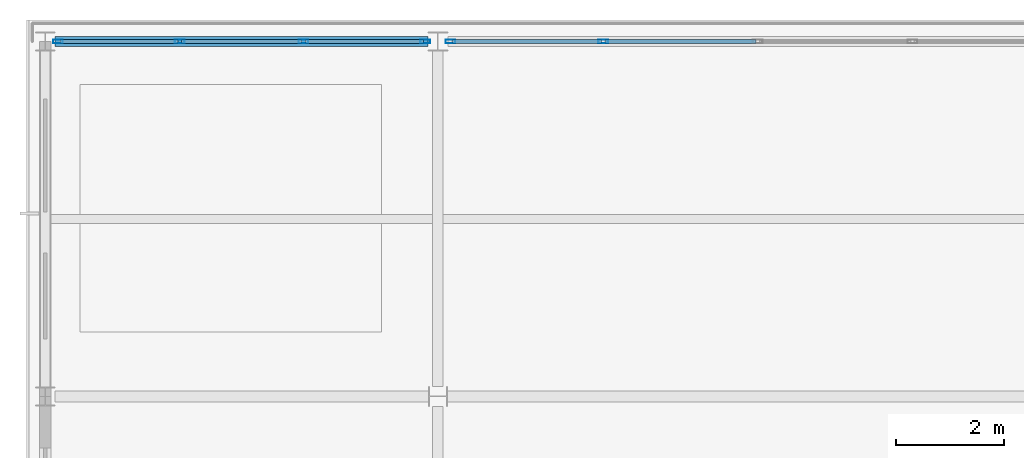
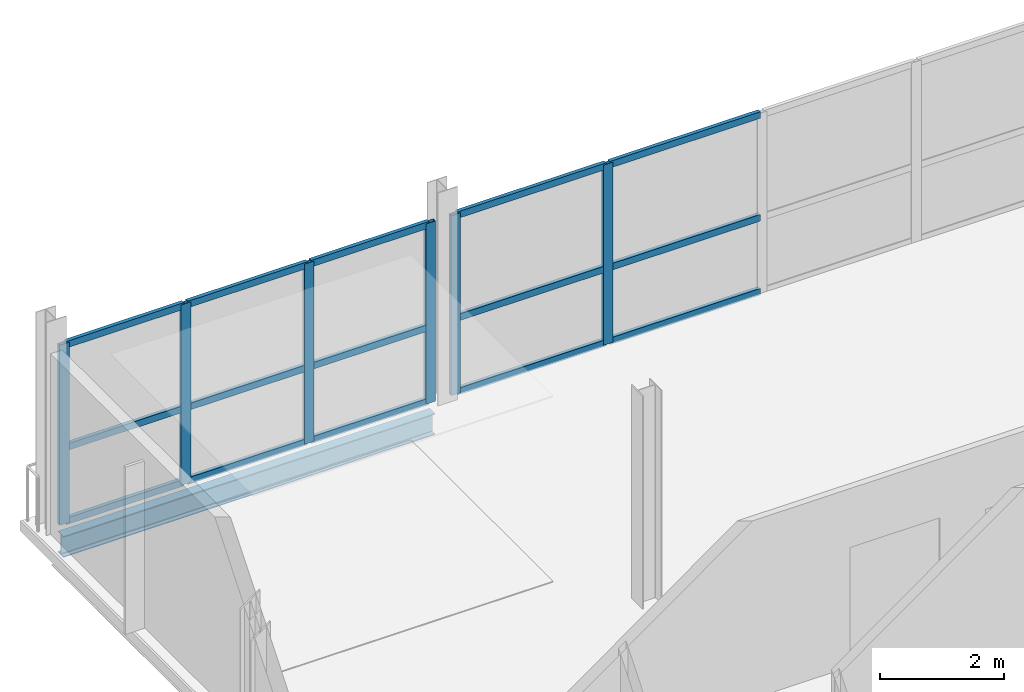
# One storey, part 7 of 17: 21 members, 1 beam, 2 elements without a shape of their own.
"""IFC4 building model written with IfcOpenShell, lengths in metres."""

from ifc_helpers import new_model, si_unit, direction, frame, origin, origin_2d, place, context, subcontext, project, spatial, hollow_rectangle, i_section, extrude, material, layer, layer_set, material_profile, profile_set, type_object, element, aggregate, save


model = new_model("IFC4")

# Units and contexts
model_context = context("Model", 3, precision=1e-05, world=origin(), true_north=direction((0.0, 1.0)))
body_context = subcontext(model_context, "Body", "Model", "MODEL_VIEW")
ifc_project = project(units=[si_unit("LENGTHUNIT", "METRE"), si_unit("AREAUNIT", "SQUARE_METRE"), si_unit("VOLUMEUNIT", "CUBIC_METRE"), si_unit("PLANEANGLEUNIT", "RADIAN"), si_unit("MASSUNIT", "GRAM", prefix="KILO")], contexts=[model_context])

# Site, building, storey
site_placement = place(None, origin())
site = spatial("IfcSite", under=ifc_project, at=site_placement, CompositionType="ELEMENT")
building_placement = place(site_placement, origin())
building = spatial("IfcBuilding", under=site, at=building_placement, Name="Quillay Park Conservatory", CompositionType="ELEMENT")
storey_placement = place(building_placement, frame((0.0, 0.0, 56.10009765625)))
storey = spatial("IfcBuildingStorey", under=building, at=storey_placement, Name="L13", CompositionType="ELEMENT", Elevation=56.10009765625)

# Curtain wall, members
ifc_material_1 = material(Name="Thermally Broken Anodised Aluminium 6063-T6", Category="aluminium")
ifc_layer = layer(ifc_material_1, 0.179931640625)
ifc_layer_set = layer_set([ifc_layer], Name="UNITISED CURTAIN WALL TOWER (Thermally Broken Anodised Aluminium 6063-T6)")
curtain_wall_type = type_object("IfcCurtainWallType", Name="UNITISED CURTAIN WALL TOWER", PredefinedType="USERDEFINED", material=ifc_layer_set)
curtain_wall_1_placement = place(storey_placement, origin())
curtain_wall_1 = element("IfcCurtainWall", 1, at=curtain_wall_1_placement, inside=storey, type_object=curtain_wall_type, Name="L13 Unitised Curtain Wall 128", ObjectType="UNITISED CURTAIN WALL", PredefinedType="USERDEFINED")
ifc_material_2 = material(Name="Thermally Broken Anodised Aluminium 6063-T6", Category="aluminium")
ifc_material_profile_1 = material_profile(ifc_material_2, hollow_rectangle(XDim=0.070068359375, YDim=0.179931640625, WallThickness=0.00390625, at=origin_2d()), Name="AL70x180x4")
ifc_profile_set_1 = profile_set([ifc_material_profile_1], Name="Thermally Broken Anodised Aluminium 6063-T6")
member_type_1 = type_object("IfcMemberType", Name="CURTAIN WALL MULLION 70 X180", PredefinedType="MULLION", material=ifc_profile_set_1)
member_1_placement = place(storey_placement, frame((0.784912109375, 113.39990234375, 0.0), z_axis=(0.0, 0.0, 1.0), x_axis=(0.0, 1.0, 0.0)))
member_1 = element("IfcMember", 2, at=member_1_placement, type_object=member_type_1, Name="CW-T1 mullion 1", PredefinedType="MULLION", context=body_context, shape_type="SweptSolid", body=[
    extrude(hollow_rectangle(XDim=0.070068359375, YDim=0.179931640625, WallThickness=0.00390625, at=origin_2d()), origin(), (0.0, 0.0, 1.0), 3.553955078125),
])
member_2_placement = place(storey_placement, frame((3.050048828125, 113.39990234375, 0.0), z_axis=(0.0, 0.0, 1.0), x_axis=(0.0, 1.0, 0.0)))
member_2 = element("IfcMember", 3, at=member_2_placement, type_object=member_type_1, Name="CW-T1 mullion 2", PredefinedType="MULLION", context=body_context, shape_type="SweptSolid", body=[
    extrude(hollow_rectangle(XDim=0.070068359375, YDim=0.179931640625, WallThickness=0.00390625, at=origin_2d()), origin(), (0.0, 0.0, 1.0), 3.553955078125),
])
member_3_placement = place(storey_placement, frame((5.35009765625, 113.39990234375, 0.0), z_axis=(0.0, 0.0, 1.0), x_axis=(0.0, 1.0, 0.0)))
member_3 = element("IfcMember", 4, at=member_3_placement, type_object=member_type_1, Name="CW-T1 mullion 3", PredefinedType="MULLION", context=body_context, shape_type="SweptSolid", body=[
    extrude(hollow_rectangle(XDim=0.070068359375, YDim=0.179931640625, WallThickness=0.00390625, at=origin_2d()), origin(), (0.0, 0.0, 1.0), 3.553955078125),
])
member_4_placement = place(storey_placement, frame((7.614990234375, 113.39990234375, 0.0), z_axis=(0.0, 0.0, 1.0), x_axis=(0.0, 1.0, 0.0)))
member_4 = element("IfcMember", 5, at=member_4_placement, type_object=member_type_1, Name="CW-T1 mullion 4", PredefinedType="MULLION", context=body_context, shape_type="SweptSolid", body=[
    extrude(hollow_rectangle(XDim=0.070068359375, YDim=0.179931640625, WallThickness=0.00390625, at=origin_2d()), origin(), (0.0, 0.0, 1.0), 3.553955078125),
])

curtain_wall_2_placement = place(storey_placement, origin())
curtain_wall_2 = element("IfcCurtainWall", 6, at=curtain_wall_2_placement, inside=storey, type_object=curtain_wall_type, Name="L13 Unitised Curtain Wall 129", ObjectType="UNITISED CURTAIN WALL", PredefinedType="USERDEFINED")
member_5_placement = place(storey_placement, frame((8.0849609375, 113.39990234375, 0.0), z_axis=(0.0, 0.0, 1.0), x_axis=(0.0, 1.0, 0.0)))
member_5 = element("IfcMember", 7, at=member_5_placement, type_object=member_type_1, Name="CW-T1 mullion 1", PredefinedType="MULLION", context=body_context, shape_type="SweptSolid", body=[
    extrude(hollow_rectangle(XDim=0.070068359375, YDim=0.179931640625, WallThickness=0.00390625, at=origin_2d()), origin(), (0.0, 0.0, 1.0), 3.553955078125),
])
member_6_placement = place(storey_placement, frame((10.925048828125, 113.39990234375, 0.0), z_axis=(0.0, 0.0, 1.0), x_axis=(0.0, 1.0, 0.0)))
member_6 = element("IfcMember", 8, at=member_6_placement, type_object=member_type_1, Name="CW-T1 mullion 2", PredefinedType="MULLION", context=body_context, shape_type="SweptSolid", body=[
    extrude(hollow_rectangle(XDim=0.070068359375, YDim=0.179931640625, WallThickness=0.00390625, at=origin_2d()), origin(), (0.0, 0.0, 1.0), 3.553955078125),
])

# Member
ifc_material_3 = material(Name="Thermally Broken Anodised Aluminium 6063-T6", Category="aluminium")
ifc_material_profile_2 = material_profile(ifc_material_3, hollow_rectangle(XDim=0.070068359375, YDim=0.1298828125, WallThickness=0.003173828125, at=origin_2d()), Name="AL70x130x3.2")
ifc_profile_set_2 = profile_set([ifc_material_profile_2], Name="Thermally Broken Anodised Aluminium 6063-T6")
member_type_2 = type_object("IfcMemberType", Name="CURTAIN WALL TRANSOM 70 X130", PredefinedType="USERDEFINED", material=ifc_profile_set_2)
member_7_placement = place(storey_placement, frame((0.820068359375, 113.39990234375, 0.034912109375), z_axis=(1.0, 0.0, 0.0), x_axis=(0.0, 1.0, 0.0)))
member_7 = element("IfcMember", 9, at=member_7_placement, type_object=member_type_2, Name="CW-T1 transom 1.1", ObjectType="TRANSOM", PredefinedType="USERDEFINED", context=body_context, shape_type="SweptSolid", body=[
    extrude(hollow_rectangle(XDim=0.070068359375, YDim=0.1298828125, WallThickness=0.003173828125, at=origin_2d()), origin(), (0.0, 0.0, 1.0), 2.19482421875),
])

member_8_placement = place(storey_placement, frame((0.820068359375, 113.39990234375, 1.49267578125), z_axis=(1.0, 0.0, 0.0), x_axis=(0.0, 1.0, 0.0)))
member_8 = element("IfcMember", 10, at=member_8_placement, type_object=member_type_2, Name="CW-T1 transom 1.2", ObjectType="TRANSOM", PredefinedType="USERDEFINED", context=body_context, shape_type="SweptSolid", body=[
    extrude(hollow_rectangle(XDim=0.070068359375, YDim=0.1298828125, WallThickness=0.003173828125, at=origin_2d()), origin(), (0.0, 0.0, 1.0), 2.19482421875),
])

member_9_placement = place(storey_placement, frame((0.820068359375, 113.39990234375, 3.518798828125), z_axis=(1.0, 0.0, 0.0), x_axis=(0.0, 1.0, 0.0)))
member_9 = element("IfcMember", 11, at=member_9_placement, type_object=member_type_2, Name="CW-T1 transom 1.3", ObjectType="TRANSOM", PredefinedType="USERDEFINED", context=body_context, shape_type="SweptSolid", body=[
    extrude(hollow_rectangle(XDim=0.070068359375, YDim=0.1298828125, WallThickness=0.003173828125, at=origin_2d()), origin(), (0.0, 0.0, 1.0), 2.19482421875),
])

member_10_placement = place(storey_placement, frame((3.0849609375, 113.39990234375, 0.034912109375), z_axis=(1.0, 0.0, 0.0), x_axis=(0.0, 1.0, 0.0)))
member_10 = element("IfcMember", 12, at=member_10_placement, type_object=member_type_2, Name="CW-T1 transom 2.1", ObjectType="TRANSOM", PredefinedType="USERDEFINED", context=body_context, shape_type="SweptSolid", body=[
    extrude(hollow_rectangle(XDim=0.070068359375, YDim=0.1298828125, WallThickness=0.003173828125, at=origin_2d()), origin(), (0.0, 0.0, 1.0), 2.22998046875),
])

member_11_placement = place(storey_placement, frame((3.0849609375, 113.39990234375, 1.49267578125), z_axis=(1.0, 0.0, 0.0), x_axis=(0.0, 1.0, 0.0)))
member_11 = element("IfcMember", 13, at=member_11_placement, type_object=member_type_2, Name="CW-T1 transom 2.2", ObjectType="TRANSOM", PredefinedType="USERDEFINED", context=body_context, shape_type="SweptSolid", body=[
    extrude(hollow_rectangle(XDim=0.070068359375, YDim=0.1298828125, WallThickness=0.003173828125, at=origin_2d()), origin(), (0.0, 0.0, 1.0), 2.22998046875),
])

member_12_placement = place(storey_placement, frame((3.0849609375, 113.39990234375, 3.518798828125), z_axis=(1.0, 0.0, 0.0), x_axis=(0.0, 1.0, 0.0)))
member_12 = element("IfcMember", 14, at=member_12_placement, type_object=member_type_2, Name="CW-T1 transom 2.3", ObjectType="TRANSOM", PredefinedType="USERDEFINED", context=body_context, shape_type="SweptSolid", body=[
    extrude(hollow_rectangle(XDim=0.070068359375, YDim=0.1298828125, WallThickness=0.003173828125, at=origin_2d()), origin(), (0.0, 0.0, 1.0), 2.22998046875),
])

member_13_placement = place(storey_placement, frame((5.385009765625, 113.39990234375, 0.034912109375), z_axis=(1.0, 0.0, 0.0), x_axis=(0.0, 1.0, 0.0)))
member_13 = element("IfcMember", 15, at=member_13_placement, type_object=member_type_2, Name="CW-T1 transom 3.1", ObjectType="TRANSOM", PredefinedType="USERDEFINED", context=body_context, shape_type="SweptSolid", body=[
    extrude(hollow_rectangle(XDim=0.070068359375, YDim=0.1298828125, WallThickness=0.003173828125, at=origin_2d()), origin(), (0.0, 0.0, 1.0), 2.195068359375),
])

member_14_placement = place(storey_placement, frame((5.385009765625, 113.39990234375, 1.49267578125), z_axis=(1.0, 0.0, 0.0), x_axis=(0.0, 1.0, 0.0)))
member_14 = element("IfcMember", 16, at=member_14_placement, type_object=member_type_2, Name="CW-T1 transom 3.2", ObjectType="TRANSOM", PredefinedType="USERDEFINED", context=body_context, shape_type="SweptSolid", body=[
    extrude(hollow_rectangle(XDim=0.070068359375, YDim=0.1298828125, WallThickness=0.003173828125, at=origin_2d()), origin(), (0.0, 0.0, 1.0), 2.195068359375),
])

member_15_placement = place(storey_placement, frame((5.385009765625, 113.39990234375, 3.518798828125), z_axis=(1.0, 0.0, 0.0), x_axis=(0.0, 1.0, 0.0)))
member_15 = element("IfcMember", 17, at=member_15_placement, type_object=member_type_2, Name="CW-T1 transom 3.3", ObjectType="TRANSOM", PredefinedType="USERDEFINED", context=body_context, shape_type="SweptSolid", body=[
    extrude(hollow_rectangle(XDim=0.070068359375, YDim=0.1298828125, WallThickness=0.003173828125, at=origin_2d()), origin(), (0.0, 0.0, 1.0), 2.195068359375),
])

aggregate(curtain_wall_1, [member_1, member_2, member_3, member_4, member_7, member_8, member_9, member_10, member_11, member_12, member_13, member_14, member_15])

member_16_placement = place(storey_placement, frame((8.1201171875, 113.39990234375, 0.034912109375), z_axis=(1.0, 0.0, 0.0), x_axis=(0.0, 1.0, 0.0)))
member_16 = element("IfcMember", 18, at=member_16_placement, type_object=member_type_2, Name="CW-T1 transom 1.1", ObjectType="TRANSOM", PredefinedType="USERDEFINED", context=body_context, shape_type="SweptSolid", body=[
    extrude(hollow_rectangle(XDim=0.070068359375, YDim=0.1298828125, WallThickness=0.003173828125, at=origin_2d()), origin(), (0.0, 0.0, 1.0), 2.769775390625),
])

member_17_placement = place(storey_placement, frame((8.1201171875, 113.39990234375, 1.49267578125), z_axis=(1.0, 0.0, 0.0), x_axis=(0.0, 1.0, 0.0)))
member_17 = element("IfcMember", 19, at=member_17_placement, type_object=member_type_2, Name="CW-T1 transom 1.2", ObjectType="TRANSOM", PredefinedType="USERDEFINED", context=body_context, shape_type="SweptSolid", body=[
    extrude(hollow_rectangle(XDim=0.070068359375, YDim=0.1298828125, WallThickness=0.003173828125, at=origin_2d()), origin(), (0.0, 0.0, 1.0), 2.769775390625),
])

member_18_placement = place(storey_placement, frame((8.1201171875, 113.39990234375, 3.518798828125), z_axis=(1.0, 0.0, 0.0), x_axis=(0.0, 1.0, 0.0)))
member_18 = element("IfcMember", 20, at=member_18_placement, type_object=member_type_2, Name="CW-T1 transom 1.3", ObjectType="TRANSOM", PredefinedType="USERDEFINED", context=body_context, shape_type="SweptSolid", body=[
    extrude(hollow_rectangle(XDim=0.070068359375, YDim=0.1298828125, WallThickness=0.003173828125, at=origin_2d()), origin(), (0.0, 0.0, 1.0), 2.769775390625),
])

member_19_placement = place(storey_placement, frame((10.9599609375, 113.39990234375, 0.034912109375), z_axis=(1.0, 0.0, 0.0), x_axis=(0.0, 1.0, 0.0)))
member_19 = element("IfcMember", 21, at=member_19_placement, type_object=member_type_2, Name="CW-T1 transom 2.1", ObjectType="TRANSOM", PredefinedType="USERDEFINED", context=body_context, shape_type="SweptSolid", body=[
    extrude(hollow_rectangle(XDim=0.070068359375, YDim=0.1298828125, WallThickness=0.003173828125, at=origin_2d()), origin(), (0.0, 0.0, 1.0), 2.804931640625),
])

member_20_placement = place(storey_placement, frame((10.9599609375, 113.39990234375, 1.49267578125), z_axis=(1.0, 0.0, 0.0), x_axis=(0.0, 1.0, 0.0)))
member_20 = element("IfcMember", 22, at=member_20_placement, type_object=member_type_2, Name="CW-T1 transom 2.2", ObjectType="TRANSOM", PredefinedType="USERDEFINED", context=body_context, shape_type="SweptSolid", body=[
    extrude(hollow_rectangle(XDim=0.070068359375, YDim=0.1298828125, WallThickness=0.003173828125, at=origin_2d()), origin(), (0.0, 0.0, 1.0), 2.804931640625),
])

member_21_placement = place(storey_placement, frame((10.9599609375, 113.39990234375, 3.518798828125), z_axis=(1.0, 0.0, 0.0), x_axis=(0.0, 1.0, 0.0)))
member_21 = element("IfcMember", 23, at=member_21_placement, type_object=member_type_2, Name="CW-T1 transom 2.3", ObjectType="TRANSOM", PredefinedType="USERDEFINED", context=body_context, shape_type="SweptSolid", body=[
    extrude(hollow_rectangle(XDim=0.070068359375, YDim=0.1298828125, WallThickness=0.003173828125, at=origin_2d()), origin(), (0.0, 0.0, 1.0), 2.804931640625),
])

aggregate(curtain_wall_2, [member_5, member_6, member_16, member_17, member_18, member_19, member_20, member_21])

# Beam
ifc_material_4 = material(Name="Steel ASTM A992 Grade 50", Category="steel")
ifc_material_profile_3 = material_profile(ifc_material_4, i_section(OverallWidth=0.179931640625, OverallDepth=0.4130859375, WebThickness=0.009765625, FlangeThickness=0.01611328125, FilletRadius=0.011962890625, at=origin_2d()), Name="W410x74")
ifc_profile_set_3 = profile_set([ifc_material_profile_3], Name="Steel ASTM A992 Grade 50")
beam_type = type_object("IfcBeamType", Name="PERIMETER SPANDREL BEAM W410 X74", PredefinedType="SPANDREL", material=ifc_profile_set_3)
beam_placement = place(storey_placement, frame((0.734619140625, 113.39990234375, -0.406494140625), z_axis=(1.0, 0.0, 0.0), x_axis=(0.0, 1.0, 0.0)))
element("IfcBeam", 24, at=beam_placement, inside=storey, type_object=beam_type, Name="L13 beam BM-SP-0900", PredefinedType="SPANDREL", context=body_context, shape_type="SweptSolid", body=[
    extrude(i_section(OverallWidth=0.179931640625, OverallDepth=0.4130859375, WebThickness=0.009765625, FlangeThickness=0.01611328125, FilletRadius=0.011962890625, at=origin_2d()), origin(), (0.0, 0.0, 1.0), 6.930908203125),
])

save(model, "model.ifc")
